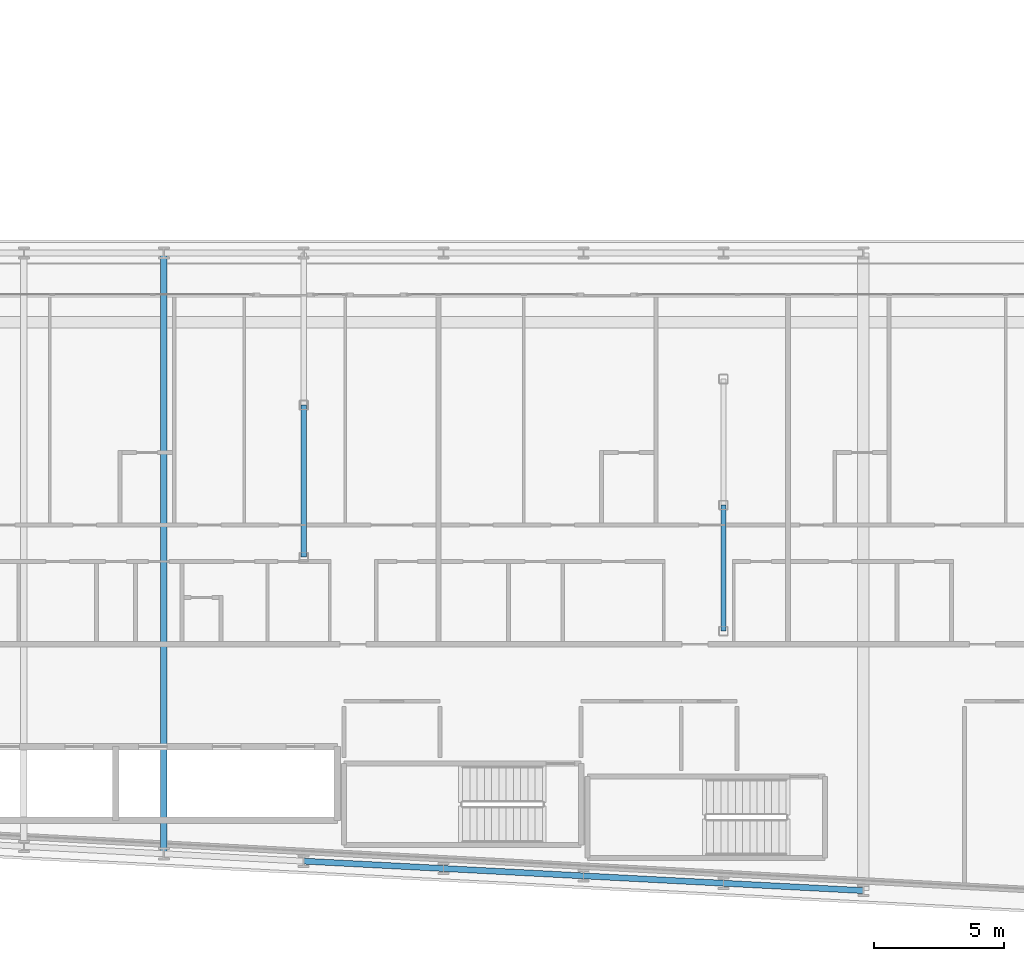
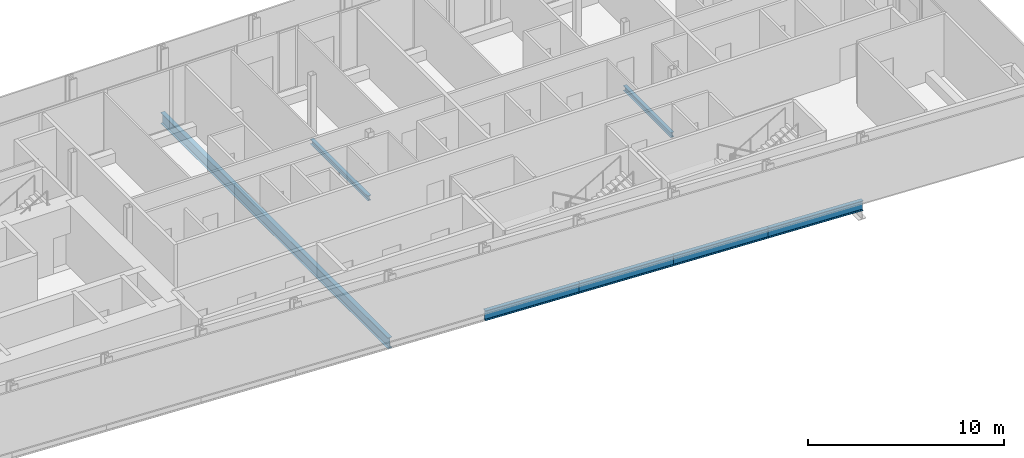
# One storey, part 5 of 29: 7 beams.
"""IFC4 building model written with IfcOpenShell, lengths in metres."""

from ifc_helpers import new_model, si_unit, direction, frame, origin, origin_2d, place, context, subcontext, project, spatial, i_section, extrude, material, material_profile, profile_set, type_object, element, save


model = new_model("IFC4")

# Units and contexts
model_context = context("Model", 3, precision=1e-05, world=origin(), true_north=direction((0.0, 1.0)))
body_context = subcontext(model_context, "Body", "Model", "MODEL_VIEW")
ifc_project = project(units=[si_unit("LENGTHUNIT", "METRE"), si_unit("AREAUNIT", "SQUARE_METRE"), si_unit("VOLUMEUNIT", "CUBIC_METRE"), si_unit("PLANEANGLEUNIT", "RADIAN"), si_unit("MASSUNIT", "GRAM", prefix="KILO")], contexts=[model_context])

# Site, building, storey
site_placement = place(None, origin())
site = spatial("IfcSite", under=ifc_project, at=site_placement, CompositionType="ELEMENT")
building_placement = place(site_placement, origin())
building = spatial("IfcBuilding", under=site, at=building_placement, Name="Kheshtan School and Residences Tower", CompositionType="ELEMENT")
storey_placement = place(building_placement, frame((0.0, 0.0, 61.699951171875)))
storey = spatial("IfcBuildingStorey", under=building, at=storey_placement, Name="L14", CompositionType="ELEMENT", Elevation=61.699951171875)

# Beams
ifc_material = material(Name="Steel ASTM A992 Grade 50", Category="steel")
ifc_material_profile_1 = material_profile(ifc_material, i_section(OverallWidth=0.202880859375, OverallDepth=0.302978515625, WebThickness=0.007568359375, FlangeThickness=0.01318359375, FilletRadius=0.009033203125, at=origin_2d()), Name="W310x60")
ifc_profile_set_1 = profile_set([ifc_material_profile_1], Name="Steel ASTM A992 Grade 50")
beam_type_1 = type_object("IfcBeamType", Name="Beam FB1 W310x60 ASTM A992 Grade 50", PredefinedType="BEAM", material=ifc_profile_set_1)
beam_1_placement = place(storey_placement, frame((85.39990234375, 31.0048828125, -0.301513671875), z_axis=(0.0, 1.0, 0.0), x_axis=(-1.0, 0.0, 0.0)))
element("IfcBeam", 1, at=beam_1_placement, inside=storey, type_object=beam_type_1, Name="Floor beam IC", PredefinedType="BEAM", context=body_context, shape_type="SweptSolid", body=[
    extrude(i_section(OverallWidth=0.202880859375, OverallDepth=0.302978515625, WebThickness=0.007568359375, FlangeThickness=0.01318359375, FilletRadius=0.009033203125, at=origin_2d()), origin(), (0.0, 0.0, 1.0), 4.865234375),
])
beam_2_placement = place(storey_placement, frame((69.199951171875, 33.863037109375, -0.301513671875), z_axis=(0.0, 1.0, 0.0), x_axis=(-1.0, 0.0, 0.0)))
element("IfcBeam", 2, at=beam_2_placement, inside=storey, type_object=beam_type_1, Name="Floor beam IC", PredefinedType="BEAM", context=body_context, shape_type="SweptSolid", body=[
    extrude(i_section(OverallWidth=0.202880859375, OverallDepth=0.302978515625, WebThickness=0.007568359375, FlangeThickness=0.01318359375, FilletRadius=0.009033203125, at=origin_2d()), origin(), (0.0, 0.0, 1.0), 5.868896484375),
])
ifc_material_profile_2 = material_profile(ifc_material, i_section(OverallWidth=0.2529296875, OverallDepth=0.677978515625, WebThickness=0.01171875, FlangeThickness=0.016357421875, FilletRadius=0.0146484375, at=origin_2d()), Name="W690x125")
ifc_profile_set_2 = profile_set([ifc_material_profile_2], Name="Steel ASTM A992 Grade 50")
beam_type_2 = type_object("IfcBeamType", Name="Beam FB6 W690x125 ASTM A992 Grade 50", PredefinedType="BEAM", material=ifc_profile_set_2)
beam_3_placement = place(storey_placement, frame((63.800048828125, 22.410888671875, -0.489013671875), z_axis=(0.0, 1.0, 0.0), x_axis=(-1.0, 0.0, 0.0)))
element("IfcBeam", 3, at=beam_3_placement, inside=storey, type_object=beam_type_2, Name="Floor beam C016", PredefinedType="BEAM", context=body_context, shape_type="SweptSolid", body=[
    extrude(i_section(OverallWidth=0.2529296875, OverallDepth=0.677978515625, WebThickness=0.01171875, FlangeThickness=0.016357421875, FilletRadius=0.0146484375, at=origin_2d()), origin(), (0.0, 0.0, 1.0), 23.189208984375),
])
ifc_material_profile_3 = material_profile(ifc_material, i_section(OverallWidth=0.22998046875, OverallDepth=0.616943359375, WebThickness=0.01318359375, FlangeThickness=0.022216796875, FilletRadius=0.0185546875, at=origin_2d()), Name="W610x140")
ifc_profile_set_3 = profile_set([ifc_material_profile_3], Name="Steel ASTM A992 Grade 50")
beam_type_3 = type_object("IfcBeamType", Name="Beam SP1 W610x140 ASTM A992 Grade 50", PredefinedType="BEAM", material=ifc_profile_set_3)
beam_4_placement = place(storey_placement, frame((90.800048828125, 20.989990234375, -0.45849609375), z_axis=(-0.998620571751, 0.05250670125, 0.0), x_axis=(-0.05250670125, -0.998620571751, 0.0)))
element("IfcBeam", 4, at=beam_4_placement, inside=storey, type_object=beam_type_3, Name="Spandrel beam C006-C008", PredefinedType="BEAM", context=body_context, shape_type="SweptSolid", body=[
    extrude(i_section(OverallWidth=0.22998046875, OverallDepth=0.616943359375, WebThickness=0.01318359375, FlangeThickness=0.022216796875, FilletRadius=0.0185546875, at=origin_2d()), origin(), (0.0, 0.0, 1.0), 5.40771484375),
])
for number, where, z_axis, x_axis, name in (
    (5, (85.39990234375, 21.27392578125, -0.45849609375), (-0.998618078766, 0.052554093665, 0.0), (-0.052554093665, -0.998618078766, 0.0), "Spandrel beam C008-C012"),
    (6, (80.0, 21.55810546875, -0.45849609375), (-0.998610961136, 0.052689166816, 0.0), (-0.052689166816, -0.998610961136, 0.0), "Spandrel beam C012-C013"),
):
    element("IfcBeam", number, at=place(storey_placement, frame(where, z_axis=z_axis, x_axis=x_axis)), inside=storey, type_object=beam_type_3, Name=name, PredefinedType="BEAM", context=body_context, shape_type="SweptSolid", body=[
        extrude(i_section(OverallWidth=0.22998046875, OverallDepth=0.616943359375, WebThickness=0.01318359375, FlangeThickness=0.022216796875, FilletRadius=0.0185546875, at=origin_2d()), origin(), (0.0, 0.0, 1.0), 5.407470703125),
    ])
beam_5_placement = place(storey_placement, frame((74.60009765625, 21.843017578125, -0.45849609375), z_axis=(-0.998620571751, 0.05250670125, 0.0), x_axis=(-0.05250670125, -0.998620571751, 0.0)))
element("IfcBeam", 7, at=beam_5_placement, inside=storey, type_object=beam_type_3, Name="Spandrel beam C013-C014", PredefinedType="BEAM", context=body_context, shape_type="SweptSolid", body=[
    extrude(i_section(OverallWidth=0.22998046875, OverallDepth=0.616943359375, WebThickness=0.01318359375, FlangeThickness=0.022216796875, FilletRadius=0.0185546875, at=origin_2d()), origin(), (0.0, 0.0, 1.0), 5.40771484375),
])

save(model, "model.ifc")
